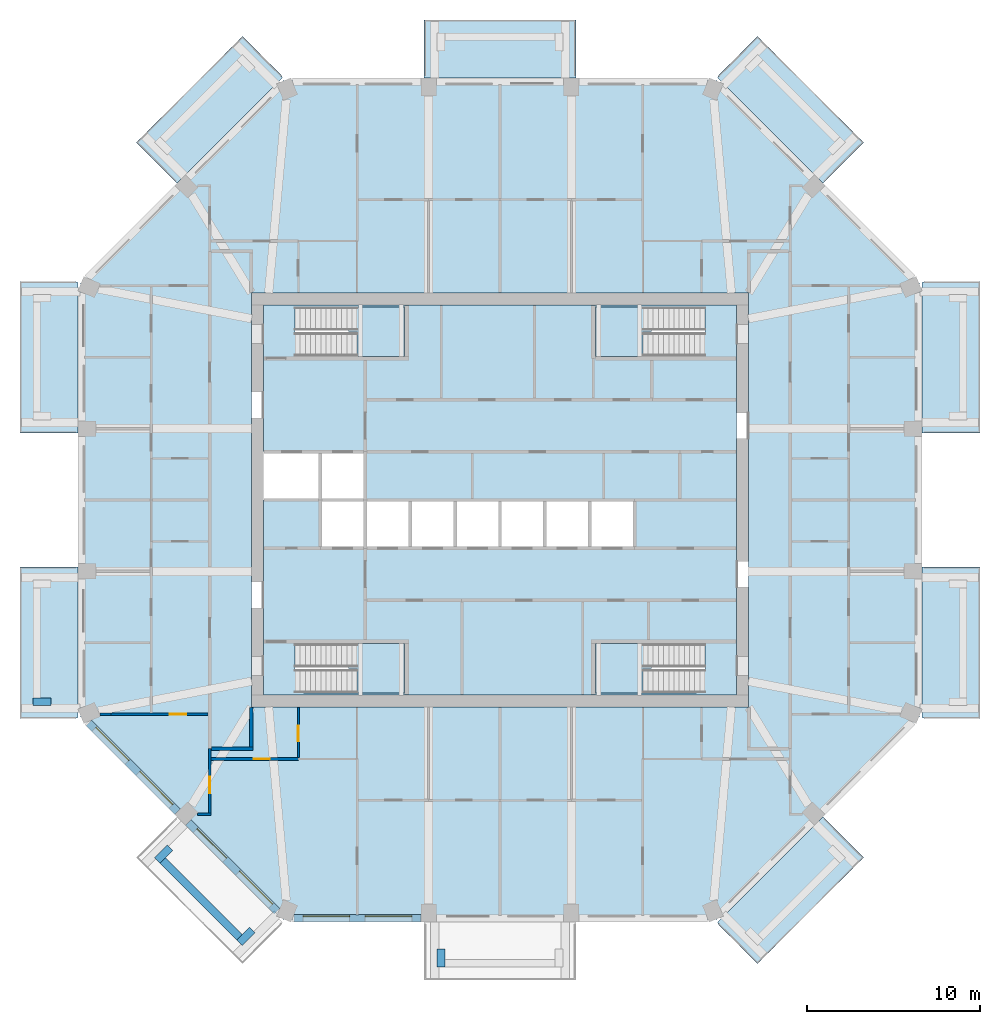
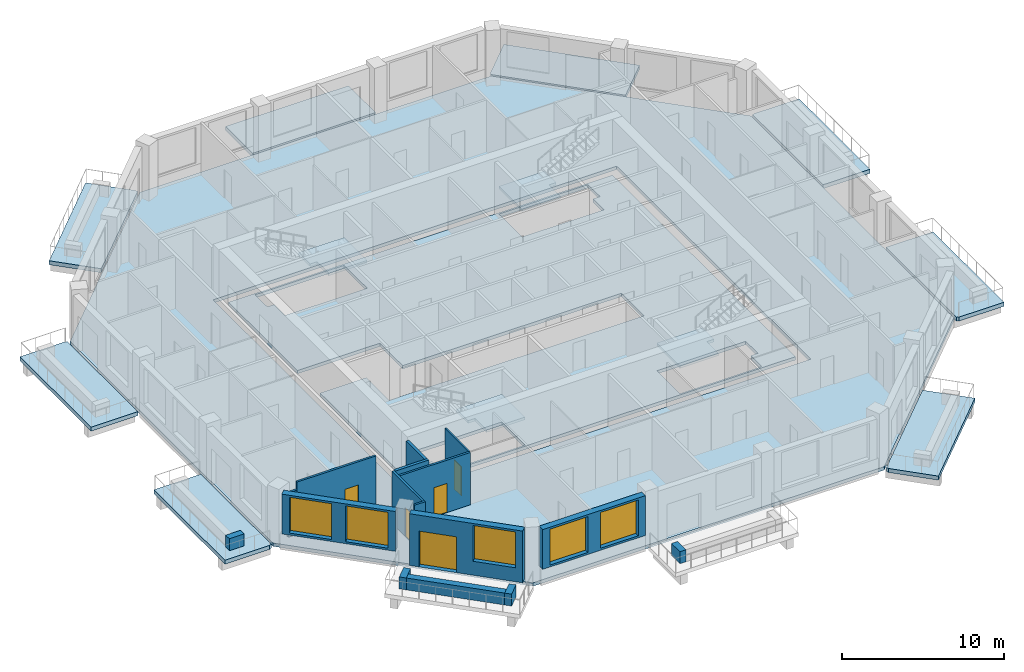
# One storey, part 2 of 12: 16 walls, 14 slabs, 5 doors, 5 windows, 10 openings, 4 elements without a shape of their own.
"""IFC4 building model written with IfcOpenShell, lengths in metres."""

from ifc_helpers import new_model, si_unit, direction, frame, frame_2d, origin, place, context, subcontext, project, spatial, polyline, rectangle, outline, extrude, material, layer, layer_set, type_object, element, fill, aggregate, save


model = new_model("IFC4")

# Units and contexts
model_context = context("Model", 3, precision=1e-05, world=origin(), true_north=direction((0.0, 1.0)))
body_context = subcontext(model_context, "Body", "Model", "MODEL_VIEW")
ifc_project = project(units=[si_unit("LENGTHUNIT", "METRE"), si_unit("AREAUNIT", "SQUARE_METRE"), si_unit("VOLUMEUNIT", "CUBIC_METRE"), si_unit("PLANEANGLEUNIT", "RADIAN"), si_unit("MASSUNIT", "GRAM", prefix="KILO")], contexts=[model_context])

# Site, building, storey
site_placement = place(None, origin())
site = spatial("IfcSite", under=ifc_project, at=site_placement, CompositionType="ELEMENT")
building_placement = place(site_placement, origin())
building = spatial("IfcBuilding", under=site, at=building_placement, Name="Msitu Wima Residences", CompositionType="ELEMENT")
storey_placement = place(building_placement, frame((0.0, 0.0, 166.5)))
storey = spatial("IfcBuildingStorey", under=building, at=storey_placement, Name="L38", CompositionType="ELEMENT", Elevation=166.5)

# Slabs
ifc_material_1 = material(Name="Concrete C40/50", Category="concrete")
ifc_layer_1 = layer(ifc_material_1, 0.300048828125)
ifc_layer_set_1 = layer_set([ifc_layer_1], Name="Concrete C40/50")
slab_type_1 = type_object("IfcSlabType", Name="Balcony slab BS300", PredefinedType="FLOOR", material=ifc_layer_set_1)
slab_1_placement = place(storey_placement, frame((0.0, 0.0, -0.300048828125)))
element("IfcSlab", 1, at=slab_1_placement, inside=storey, type_object=slab_type_1, Name="Balcony E0 L38", PredefinedType="FLOOR", context=body_context, shape_type="SweptSolid", body=[
    extrude(outline(polyline([(24.449951171875, -12.111083984375), (24.449951171875, -12.111083984375), (24.449951171875, -4.587158203125), (24.449951171875, -4.587158203125), (24.449951171875, -3.88720703125), (27.800048828125, -3.88720703125), (27.800048828125, -12.661865234375), (24.603515625, -12.661865234375), (24.449951171875, -12.59814453125), (24.449951171875, -12.111083984375), (24.449951171875, -12.111083984375)])), origin(), (0.0, 0.0, 1.0), 0.300048828125),
])
slab_2_placement = place(storey_placement, frame((0.0, 0.0, -0.300048828125)))
element("IfcSlab", 2, at=slab_2_placement, inside=storey, type_object=slab_type_1, Name="Balcony E2 L38", PredefinedType="FLOOR", context=body_context, shape_type="SweptSolid", body=[
    extrude(outline(polyline([(24.449951171875, 12.111083984375), (24.449951171875, 12.111083984375), (24.449951171875, 12.111083984375), (24.449951171875, 12.59814453125), (24.603515625, 12.661865234375), (27.800048828125, 12.661865234375), (27.800048828125, 3.88720703125), (24.449951171875, 3.88720703125), (24.449951171875, 4.587158203125), (24.449951171875, 12.111083984375)])), origin(), (0.0, 0.0, 1.0), 0.300048828125),
])
slab_3_placement = place(storey_placement, frame((0.0, 0.0, -0.300048828125)))
element("IfcSlab", 3, at=slab_3_placement, inside=storey, type_object=slab_type_1, Name="Balcony NE1 L38", PredefinedType="FLOOR", context=body_context, shape_type="SweptSolid", body=[
    extrude(outline(polyline([(12.942626953125, 24.10546875), (12.942626953125, 24.10546875), (12.59814453125, 24.449951171875), (12.661865234375, 24.603515625), (14.922119140625, 26.86376953125), (21.069580078125, 20.716064453125), (18.700927734375, 18.347412109375), (12.942626953125, 24.10546875), (12.942626953125, 24.10546875)])), origin(), (0.0, 0.0, 1.0), 0.300048828125),
])
slab_4_placement = place(storey_placement, frame((0.0, 0.0, -0.300048828125)))
element("IfcSlab", 4, at=slab_4_placement, inside=storey, type_object=slab_type_1, Name="Balcony N1 L38", PredefinedType="FLOOR", context=body_context, shape_type="SweptSolid", body=[
    extrude(outline(polyline([(3.687255859375, 24.449951171875), (-3.687255859375, 24.449951171875), (-4.38720703125, 24.449951171875), (-4.38720703125, 27.800048828125), (4.38720703125, 27.800048828125), (4.38720703125, 24.449951171875), (3.687255859375, 24.449951171875)])), origin(), (0.0, 0.0, 1.0), 0.300048828125),
])
slab_5_placement = place(storey_placement, frame((0.0, 0.0, -0.300048828125)))
element("IfcSlab", 5, at=slab_5_placement, inside=storey, type_object=slab_type_1, Name="Balcony NW0 L38", PredefinedType="FLOOR", context=body_context, shape_type="SweptSolid", body=[
    extrude(outline(polyline([(-12.942626953125, 24.10546875), (-12.942626953125, 24.10546875), (-18.700927734375, 18.347412109375), (-21.069580078125, 20.716064453125), (-14.922119140625, 26.86376953125), (-12.661865234375, 24.603515625), (-12.59814453125, 24.449951171875), (-12.942626953125, 24.10546875), (-12.942626953125, 24.10546875)])), origin(), (0.0, 0.0, 1.0), 0.300048828125),
])
slab_6_placement = place(storey_placement, frame((0.0, 0.0, -0.300048828125)))
element("IfcSlab", 6, at=slab_6_placement, inside=storey, type_object=slab_type_1, Name="Balcony W0 L38", PredefinedType="FLOOR", context=body_context, shape_type="SweptSolid", body=[
    extrude(outline(polyline([(-24.449951171875, 12.111083984375), (-24.449951171875, 12.111083984375), (-24.449951171875, 4.587158203125), (-24.449951171875, 3.88720703125), (-27.800048828125, 3.88720703125), (-27.800048828125, 12.661865234375), (-24.603515625, 12.661865234375), (-24.449951171875, 12.59814453125), (-24.449951171875, 12.111083984375), (-24.449951171875, 12.111083984375)])), origin(), (0.0, 0.0, 1.0), 0.300048828125),
])
slab_7_placement = place(storey_placement, frame((0.0, 0.0, -0.300048828125)))
element("IfcSlab", 7, at=slab_7_placement, inside=storey, type_object=slab_type_1, Name="Balcony W2 L38", PredefinedType="FLOOR", context=body_context, shape_type="SweptSolid", body=[
    extrude(outline(polyline([(-24.449951171875, -12.111083984375), (-24.449951171875, -12.111083984375), (-24.449951171875, -12.59814453125), (-24.603515625, -12.661865234375), (-27.800048828125, -12.661865234375), (-27.800048828125, -3.88720703125), (-24.449951171875, -3.88720703125), (-24.449951171875, -4.587158203125), (-24.449951171875, -4.587158203125), (-24.449951171875, -12.111083984375), (-24.449951171875, -12.111083984375)])), origin(), (0.0, 0.0, 1.0), 0.300048828125),
])
slab_8_placement = place(storey_placement, frame((0.0, 0.0, -0.300048828125)))
element("IfcSlab", 8, at=slab_8_placement, inside=storey, type_object=slab_type_1, Name="Balcony SE0 L38", PredefinedType="FLOOR", context=body_context, shape_type="SweptSolid", body=[
    extrude(outline(polyline([(12.942626953125, -24.10546875), (12.942626953125, -24.10546875), (18.700927734375, -18.347412109375), (21.069580078125, -20.716064453125), (14.922119140625, -26.86376953125), (12.661865234375, -24.603515625), (12.59814453125, -24.449951171875), (12.942626953125, -24.10546875), (12.942626953125, -24.10546875)])), origin(), (0.0, 0.0, 1.0), 0.300048828125),
])
ifc_layer_2 = layer(ifc_material_1, 0.25)
ifc_layer_set_2 = layer_set([ifc_layer_2], Name="Concrete C40/50")
slab_type_2 = type_object("IfcSlabType", Name="Core floor CF250", PredefinedType="FLOOR", material=ifc_layer_set_2)
slab_9_placement = place(storey_placement, frame((0.0, 0.0, -0.25)))
element("IfcSlab", 9, at=slab_9_placement, inside=storey, type_object=slab_type_2, Name="Core floor", PredefinedType="FLOOR", context=body_context, shape_type="SweptSolid", body=[
    extrude(outline(polyline([(-13.699951171875, 11.300048828125), (-13.699951171875, 2.800048828125), (-10.39990234375, 2.800048828125), (-7.800048828125, 2.800048828125), (-7.800048828125, 0.0), (-5.199951171875, 0.0), (-2.60009765625, 0.0), (0.0, 0.0), (2.60009765625, 0.0), (5.199951171875, 0.0), (7.800048828125, 0.0), (7.800048828125, -2.800048828125), (5.199951171875, -2.800048828125), (2.60009765625, -2.800048828125), (0.0, -2.800048828125), (-2.60009765625, -2.800048828125), (-5.199951171875, -2.800048828125), (-7.800048828125, -2.800048828125), (-10.39990234375, -2.800048828125), (-10.39990234375, 0.0), (-13.699951171875, 0.0), (-13.699951171875, -11.300048828125), (13.699951171875, -11.300048828125), (13.699951171875, 11.300048828125), (-13.699951171875, 11.300048828125)]), holes=[polyline([(-11.375, -11.175048828125), (-11.375, -9.824951171875), (-11.87451171875, -9.824951171875), (-11.87451171875, -8.324951171875), (-5.52490234375, -8.324951171875), (-5.52490234375, -11.175048828125), (-11.375, -11.175048828125)]), polyline([(-11.375, 8.324951171875), (-11.375, 9.675048828125), (-11.87451171875, 9.675048828125), (-11.87451171875, 11.175048828125), (-5.52490234375, 11.175048828125), (-5.52490234375, 8.324951171875), (-11.375, 8.324951171875)]), polyline([(11.375, -9.824951171875), (11.375, -11.175048828125), (5.52490234375, -11.175048828125), (5.52490234375, -8.324951171875), (11.87451171875, -8.324951171875), (11.87451171875, -9.824951171875), (11.375, -9.824951171875)]), polyline([(11.375, 9.675048828125), (11.375, 8.324951171875), (5.52490234375, 8.324951171875), (5.52490234375, 11.175048828125), (11.87451171875, 11.175048828125), (11.87451171875, 9.675048828125), (11.375, 9.675048828125)])]), origin(), (0.0, 0.0, 1.0), 0.25),
])
ifc_layer_3 = layer(ifc_material_1, 0.25)
ifc_layer_set_3 = layer_set([ifc_layer_3], Name="Concrete C40/50")
slab_type_3 = type_object("IfcSlabType", Name="PT flat slab 250 Concrete C40/50", PredefinedType="FLOOR", material=ifc_layer_set_3)
slab_10_placement = place(storey_placement, frame((0.0, 0.0, -0.25)))
element("IfcSlab", 10, at=slab_10_placement, inside=storey, type_object=slab_type_3, Name="Floor slab L38", PredefinedType="FLOOR", context=body_context, shape_type="SweptSolid", body=[
    extrude(outline(polyline([(24.300048828125, -12.5361328125), (12.5361328125, -24.300048828125), (-12.5361328125, -24.300048828125), (-24.300048828125, -12.5361328125), (-24.300048828125, 12.5361328125), (-12.5361328125, 24.300048828125), (12.5361328125, 24.300048828125), (24.300048828125, 12.5361328125), (24.300048828125, -12.5361328125)]), holes=[polyline([(-14.39990234375, -12.0), (14.39990234375, -12.0), (14.39990234375, 12.0), (-14.39990234375, 12.0), (-14.39990234375, -12.0)])]), origin(), (0.0, 0.0, 1.0), 0.25),
])

# Stair, slab
stair_type = type_object("IfcStairType", Name="Exit stair ES1615-135", PredefinedType="HALF_TURN_STAIR", material=ifc_material_1)
stair_1_placement = place(storey_placement, origin())
stair_1 = element("IfcStair", 11, at=stair_1_placement, inside=storey, type_object=stair_type, Name="Exit stair 1", PredefinedType="HALF_TURN_STAIR")
ifc_layer_4 = layer(ifc_material_1, 0.199951171875)
ifc_layer_set_4 = layer_set([ifc_layer_4], Name="Concrete C40/50")
slab_type_4 = type_object("IfcSlabType", Name="Stair landing SL200", PredefinedType="LANDING", material=ifc_layer_set_4)
slab_11_placement = place(storey_placement, frame((0.0, 0.0, 1.89990234375)))
slab_11 = element("IfcSlab", 12, at=slab_11_placement, type_object=slab_type_4, Name="S1 landing 1", PredefinedType="LANDING", context=body_context, shape_type="SweptSolid", body=[
    extrude(outline(polyline([(-5.52490234375, 8.324951171875), (-8.275390625, 8.324951171875), (-8.275390625, 9.75), (-8.77490234375, 9.75), (-8.77490234375, 11.175048828125), (-5.52490234375, 11.175048828125), (-5.52490234375, 8.324951171875)])), origin(), (0.0, 0.0, 1.0), 0.2001953125),
])
aggregate(stair_1, [slab_11])

stair_2_placement = place(storey_placement, origin())
stair_2 = element("IfcStair", 13, at=stair_2_placement, inside=storey, type_object=stair_type, Name="Exit stair 2", PredefinedType="HALF_TURN_STAIR")
slab_12_placement = place(storey_placement, frame((0.0, 0.0, 1.89990234375)))
slab_12 = element("IfcSlab", 14, at=slab_12_placement, type_object=slab_type_4, Name="S2 landing 1", PredefinedType="LANDING", context=body_context, shape_type="SweptSolid", body=[
    extrude(outline(polyline([(-5.52490234375, -11.175048828125), (-8.275390625, -11.175048828125), (-8.275390625, -9.75), (-8.77490234375, -9.75), (-8.77490234375, -8.324951171875), (-5.52490234375, -8.324951171875), (-5.52490234375, -11.175048828125)])), origin(), (0.0, 0.0, 1.0), 0.2001953125),
])
aggregate(stair_2, [slab_12])

stair_3_placement = place(storey_placement, origin())
stair_3 = element("IfcStair", 15, at=stair_3_placement, inside=storey, type_object=stair_type, Name="Exit stair 3", PredefinedType="HALF_TURN_STAIR")
slab_13_placement = place(storey_placement, frame((0.0, 0.0, 1.89990234375)))
slab_13 = element("IfcSlab", 16, at=slab_13_placement, type_object=slab_type_4, Name="S3 landing 1", PredefinedType="LANDING", context=body_context, shape_type="SweptSolid", body=[
    extrude(outline(polyline([(5.52490234375, 8.324951171875), (8.275390625, 8.324951171875), (8.275390625, 9.75), (8.77490234375, 9.75), (8.77490234375, 11.175048828125), (5.52490234375, 11.175048828125), (5.52490234375, 8.324951171875)])), origin(), (0.0, 0.0, 1.0), 0.2001953125),
])
aggregate(stair_3, [slab_13])

stair_4_placement = place(storey_placement, origin())
stair_4 = element("IfcStair", 17, at=stair_4_placement, inside=storey, type_object=stair_type, Name="Exit stair 4", PredefinedType="HALF_TURN_STAIR")
slab_14_placement = place(storey_placement, frame((0.0, 0.0, 1.89990234375)))
slab_14 = element("IfcSlab", 18, at=slab_14_placement, type_object=slab_type_4, Name="S4 landing 1", PredefinedType="LANDING", context=body_context, shape_type="SweptSolid", body=[
    extrude(outline(polyline([(5.52490234375, -11.175048828125), (8.275390625, -11.175048828125), (8.275390625, -9.75), (8.77490234375, -9.75), (8.77490234375, -8.324951171875), (5.52490234375, -8.324951171875), (5.52490234375, -11.175048828125)])), origin(), (0.0, 0.0, 1.0), 0.2001953125),
])
aggregate(stair_4, [slab_14])

# Walls
ifc_material_2 = material(Name="Facing brick")
ifc_layer_5 = layer(ifc_material_2, 0.06494140625, Name="Facing brick")
ifc_layer_6 = layer(ifc_material_1, 0.156005859375, Name="Concrete C40/50")
ifc_material_3 = material(Name="Waterproofing membrane")
ifc_layer_7 = layer(ifc_material_3, 0.00390625, Name="Waterproofing membrane")
ifc_material_4 = material(Name="Planting soil and planting")
ifc_layer_8 = layer(ifc_material_4, 0.22509765625, Name="Planting soil and planting")
ifc_layer_set_5 = layer_set([ifc_layer_5, ifc_layer_6, ifc_layer_7, ifc_layer_8], Name="Concrete C40/50")
wall_type_1 = type_object("IfcWallType", Name="Balcony planter PLANTER PL450", PredefinedType="USERDEFINED", material=ifc_layer_set_5)
wall_1_placement = place(storey_placement, frame((-26.0, -11.686767578125, 0.0), z_axis=(0.0, 0.0, 1.0), x_axis=(-1.0, 0.0, 0.0)))
element("IfcWall", 19, at=wall_1_placement, inside=storey, type_object=wall_type_1, Name="Balcony planter W2 L38", ObjectType="PLANTER", PredefinedType="USERDEFINED", context=body_context, shape_type="SweptSolid", body=[
    extrude(rectangle(XDim=1.050048828125, YDim=0.449951171875, at=frame_2d((0.52490234375, 0.0))), origin(), (0.0, 0.0, 1.0), 0.89990234375),
])
wall_2_placement = place(storey_placement, frame((-19.53173828125, -20.875244140625, 0.0), z_axis=(0.0, 0.0, 1.0), x_axis=(0.707106781187, -0.707106781187, 0.0)))
element("IfcWall", 20, at=wall_2_placement, inside=storey, type_object=wall_type_1, Name="Balcony planter SW1 L38", ObjectType="PLANTER", PredefinedType="USERDEFINED", context=body_context, shape_type="SweptSolid", body=[
    extrude(rectangle(XDim=6.294189453125, YDim=0.449951171875, at=frame_2d((3.14697265625, 0.0))), origin(), (0.0, 0.0, 1.0), 0.89990234375),
])
for number, where, z_axis, x_axis, name in (
    (21, (-19.107421875, -20.1328125, 0.0), (0.0, 0.0, 1.0), (-0.707106781187, -0.707106781187, 0.0), "Balcony planter SW1 L38"),
    (22, (-14.338623046875, -24.901611328125, 0.0), (0.0, 0.0, 1.0), (-0.707106781187, -0.707106781187, 0.0), "Balcony planter SW1 L38"),
    (23, (-3.412353515625, -26.0, 0.0), (0.0, 0.0, 1.0), (0.0, -1.0, 0.0), "Balcony planter S1 L38"),
):
    element("IfcWall", number, at=place(storey_placement, frame(where, z_axis=z_axis, x_axis=x_axis)), inside=storey, type_object=wall_type_1, Name=name, ObjectType="PLANTER", PredefinedType="USERDEFINED", context=body_context, shape_type="SweptSolid", body=[
        extrude(rectangle(XDim=1.050048828125, YDim=0.449951171875, at=frame_2d((0.52490234375, 0.0))), origin(), (0.0, 0.0, 1.0), 0.89990234375),
    ])

# Wall, openings, windows
ifc_material_5 = material(Name="Brick (red buff mix)", Category="masonry")
ifc_layer_9 = layer(ifc_material_5, 0.449951171875)
ifc_layer_set_6 = layer_set([ifc_layer_9], Name="Brick (red buff mix)")
wall_type_2 = type_object("IfcWallType", Name="Brick infill wall BW450", PredefinedType="SOLIDWALL", material=ifc_layer_set_6)
wall_3_placement = place(storey_placement, frame((-23.814697265625, -12.915283203125, 0.89990234375), z_axis=(0.0, 0.0, 1.0), x_axis=(0.707106781187, -0.707106781187, 0.0)))
wall_3 = element("IfcWall", 24, at=wall_3_placement, inside=storey, type_object=wall_type_2, Name="Brick infill wall L38 SW0", PredefinedType="SOLIDWALL", context=body_context, shape_type="SweptSolid", body=[
    extrude(rectangle(XDim=7.257080078125, YDim=0.449951171875, at=frame_2d((3.62841796875, 0.0))), origin(), (0.0, 0.0, 1.0), 3.0),
])
opening_1_placement = place(wall_3_placement, frame((0.478515625, 0.0, 0.14990234375)))
opening_1 = element("IfcOpeningElement", 25, at=opening_1_placement, cuts=wall_3, Name="Opening W38-39.024", PredefinedType="OPENING", context=body_context, shape_type="SweptSolid", body=[
    extrude(rectangle(XDim=2.699951171875, YDim=2.699951171875, at=frame_2d((1.35009765625, 1.35009765625))), frame((0.0, 0.23486328125, 0.0), z_axis=(0.0, -1.0, 0.0), x_axis=(1.0, 0.0, 0.0)), (0.0, 0.0, 1.0), 0.469970703125),
])
opening_2_placement = place(wall_3_placement, frame((4.07861328125, 0.0, 0.14990234375)))
opening_2 = element("IfcOpeningElement", 26, at=opening_2_placement, cuts=wall_3, Name="Opening W38-39.025", PredefinedType="OPENING", context=body_context, shape_type="SweptSolid", body=[
    extrude(rectangle(XDim=2.699951171875, YDim=2.699951171875, at=frame_2d((1.35009765625, 1.35009765625))), frame((0.0, 0.23486328125, 0.0), z_axis=(0.0, -1.0, 0.0), x_axis=(1.0, 0.0, 0.0)), (0.0, 0.0, 1.0), 0.469970703125),
])
ifc_material_6 = material(Name="Anodised aluminium, bronze finish, clear low-emissivity double glazing", Category="aluminium")
window_type = type_object("IfcWindowType", Name="Window W2700x2700", PartitioningType="DOUBLE_PANEL_VERTICAL", PredefinedType="WINDOW", material=ifc_material_6)
window_1_placement = place(opening_1_placement, origin())
window_1 = element("IfcWindow", 27, at=window_1_placement, inside=storey, type_object=window_type, Name="Window L38 SW0.1", OverallHeight=2.699951171875, OverallWidth=2.699951171875, PartitioningType="SINGLE_PANEL", PredefinedType="WINDOW", context=body_context, shape_type="SweptSolid", body=[
    extrude(rectangle(XDim=2.699951171875, YDim=2.699951171875, at=frame_2d((1.35009765625, 1.35009765625))), frame((0.0, 0.135009765625, 0.0), z_axis=(0.0, -1.0, 0.0), x_axis=(1.0, 0.0, 0.0)), (0.0, 0.0, 1.0), 0.06005859375),
])
fill(opening_1, window_1)
window_2_placement = place(opening_2_placement, origin())
window_2 = element("IfcWindow", 28, at=window_2_placement, inside=storey, type_object=window_type, Name="Window L38 SW0.2", OverallHeight=2.699951171875, OverallWidth=2.699951171875, PartitioningType="SINGLE_PANEL", PredefinedType="WINDOW", context=body_context, shape_type="SweptSolid", body=[
    extrude(rectangle(XDim=2.699951171875, YDim=2.699951171875, at=frame_2d((1.35009765625, 1.35009765625))), frame((0.0, 0.135009765625, 0.0), z_axis=(0.0, -1.0, 0.0), x_axis=(1.0, 0.0, 0.0)), (0.0, 0.0, 1.0), 0.06005859375),
])
fill(opening_2, window_2)

# Wall, openings, door, window
wall_4_placement = place(storey_placement, frame((-18.046875, -18.68310546875, 0.0), z_axis=(0.0, 0.0, 1.0), x_axis=(0.707106781187, -0.707106781187, 0.0)))
wall_4 = element("IfcWall", 29, at=wall_4_placement, inside=storey, type_object=wall_type_2, Name="Brick infill wall L38 SW1", PredefinedType="SOLIDWALL", context=body_context, shape_type="SweptSolid", body=[
    extrude(rectangle(XDim=7.257080078125, YDim=0.449951171875, at=frame_2d((3.62841796875, 0.0))), origin(), (0.0, 0.0, 1.0), 3.89990234375),
])
opening_3_placement = place(wall_4_placement, frame((0.6142578125, 0.0, 0.0)))
opening_3 = element("IfcOpeningElement", 30, at=opening_3_placement, cuts=wall_4, Name="Opening D38-39.008", PredefinedType="OPENING", context=body_context, shape_type="SweptSolid", body=[
    extrude(rectangle(XDim=2.39990234375, YDim=2.699951171875, at=frame_2d((1.199951171875, 1.35009765625))), frame((0.0, 0.23486328125, 0.0), z_axis=(0.0, -1.0, 0.0), x_axis=(1.0, 0.0, 0.0)), (0.0, 0.0, 1.0), 0.469970703125),
])
opening_4_placement = place(wall_4_placement, frame((4.07861328125, 0.0, 1.050048828125)))
opening_4 = element("IfcOpeningElement", 31, at=opening_4_placement, cuts=wall_4, Name="Opening W38-39.026", PredefinedType="OPENING", context=body_context, shape_type="SweptSolid", body=[
    extrude(rectangle(XDim=2.699951171875, YDim=2.699951171875, at=frame_2d((1.35009765625, 1.35009765625))), frame((0.0, 0.23486328125, 0.0), z_axis=(0.0, -1.0, 0.0), x_axis=(1.0, 0.0, 0.0)), (0.0, 0.0, 1.0), 0.469970703125),
])
door_type_1 = type_object("IfcDoorType", Name="Balcony door D2400x2700", OperationType="SLIDING_TO_LEFT", PredefinedType="DOOR", material=ifc_material_6)
door_1_placement = place(opening_3_placement, origin())
door_1 = element("IfcDoor", 32, at=door_1_placement, inside=storey, type_object=door_type_1, Name="Balcony door L38 SW1", OperationType="SINGLE_SWING_LEFT", OverallHeight=2.699951171875, OverallWidth=2.39990234375, PredefinedType="DOOR", context=body_context, shape_type="SweptSolid", body=[
    extrude(rectangle(XDim=2.39990234375, YDim=2.699951171875, at=frame_2d((1.199951171875, 1.35009765625))), frame((0.0, 0.1298828125, 0.0), z_axis=(0.0, -1.0, 0.0), x_axis=(1.0, 0.0, 0.0)), (0.0, 0.0, 1.0), 0.050048828125),
])
fill(opening_3, door_1)
window_3_placement = place(opening_4_placement, origin())
window_3 = element("IfcWindow", 33, at=window_3_placement, inside=storey, type_object=window_type, Name="Window L38 SW1.2", OverallHeight=2.699951171875, OverallWidth=2.699951171875, PartitioningType="SINGLE_PANEL", PredefinedType="WINDOW", context=body_context, shape_type="SweptSolid", body=[
    extrude(rectangle(XDim=2.699951171875, YDim=2.699951171875, at=frame_2d((1.35009765625, 1.35009765625))), frame((0.0, 0.135009765625, 0.0), z_axis=(0.0, -1.0, 0.0), x_axis=(1.0, 0.0, 0.0)), (0.0, 0.0, 1.0), 0.06005859375),
])
fill(opening_4, window_3)

# Wall, openings, windows
wall_5_placement = place(storey_placement, frame((-11.9248046875, -24.22509765625, 0.89990234375), z_axis=(0.0, 0.0, 1.0), x_axis=(1.0, 0.0, 0.0)))
wall_5 = element("IfcWall", 34, at=wall_5_placement, inside=storey, type_object=wall_type_2, Name="Brick infill wall L38 S0", PredefinedType="SOLIDWALL", context=body_context, shape_type="SweptSolid", body=[
    extrude(rectangle(XDim=7.337646484375, YDim=0.449951171875, at=frame_2d((3.6689453125, 0.0))), origin(), (0.0, 0.0, 1.0), 3.0),
])
opening_5_placement = place(wall_5_placement, frame((0.518798828125, 0.0, 0.14990234375)))
opening_5 = element("IfcOpeningElement", 35, at=opening_5_placement, cuts=wall_5, Name="Opening W38-39.016", PredefinedType="OPENING", context=body_context, shape_type="SweptSolid", body=[
    extrude(rectangle(XDim=2.699951171875, YDim=2.699951171875, at=frame_2d((1.35009765625, 1.35009765625))), frame((0.0, 0.23486328125, 0.0), z_axis=(0.0, -1.0, 0.0), x_axis=(1.0, 0.0, 0.0)), (0.0, 0.0, 1.0), 0.469970703125),
])
opening_6_placement = place(wall_5_placement, frame((4.11865234375, 0.0, 0.14990234375)))
opening_6 = element("IfcOpeningElement", 36, at=opening_6_placement, cuts=wall_5, Name="Opening W38-39.017", PredefinedType="OPENING", context=body_context, shape_type="SweptSolid", body=[
    extrude(rectangle(XDim=2.699951171875, YDim=2.699951171875, at=frame_2d((1.35009765625, 1.35009765625))), frame((0.0, 0.23486328125, 0.0), z_axis=(0.0, -1.0, 0.0), x_axis=(1.0, 0.0, 0.0)), (0.0, 0.0, 1.0), 0.469970703125),
])
window_4_placement = place(opening_5_placement, origin())
window_4 = element("IfcWindow", 37, at=window_4_placement, inside=storey, type_object=window_type, Name="Window L38 S0.1", OverallHeight=2.699951171875, OverallWidth=2.699951171875, PartitioningType="SINGLE_PANEL", PredefinedType="WINDOW", context=body_context, shape_type="SweptSolid", body=[
    extrude(rectangle(XDim=2.699951171875, YDim=2.699951171875, at=frame_2d((1.35009765625, 1.35009765625))), frame((0.0, 0.135009765625, 0.0), z_axis=(0.0, -1.0, 0.0), x_axis=(1.0, 0.0, 0.0)), (0.0, 0.0, 1.0), 0.06005859375),
])
fill(opening_5, window_4)
window_5_placement = place(opening_6_placement, origin())
window_5 = element("IfcWindow", 38, at=window_5_placement, inside=storey, type_object=window_type, Name="Window L38 S0.2", OverallHeight=2.699951171875, OverallWidth=2.699951171875, PartitioningType="SINGLE_PANEL", PredefinedType="WINDOW", context=body_context, shape_type="SweptSolid", body=[
    extrude(rectangle(XDim=2.699951171875, YDim=2.699951171875, at=frame_2d((1.35009765625, 1.35009765625))), frame((0.0, 0.135009765625, 0.0), z_axis=(0.0, -1.0, 0.0), x_axis=(1.0, 0.0, 0.0)), (0.0, 0.0, 1.0), 0.06005859375),
])
fill(opening_6, window_5)

# Walls
ifc_material_7 = material(Name="Plaster")
ifc_layer_10 = layer(ifc_material_7, 0.011962890625, Name="Plaster")
ifc_material_8 = material(Name="Concrete blockwork", Category="masonry")
ifc_layer_11 = layer(ifc_material_8, 0.176025390625, Name="Concrete blockwork")
ifc_layer_12 = layer(ifc_material_7, 0.011962890625, Name="Plaster")
ifc_layer_set_7 = layer_set([ifc_layer_10, ifc_layer_11, ifc_layer_12], Name="Concrete blockwork")
wall_type_3 = type_object("IfcWallType", Name="Corridor wall FW200", PredefinedType="PARTITIONING", material=ifc_layer_set_7)
wall_6_placement = place(storey_placement, frame((-16.699951171875, -14.39990234375, 0.0), z_axis=(0.0, 0.0, 1.0), x_axis=(1.0, 0.0, 0.0)))
element("IfcWall", 39, at=wall_6_placement, inside=storey, type_object=wall_type_3, Name="Corridor wall", PredefinedType="PARTITIONING", context=body_context, shape_type="SweptSolid", body=[
    extrude(rectangle(XDim=2.39990234375, YDim=0.199951171875, at=frame_2d((1.199951171875, 0.0))), origin(), (0.0, 0.0, 1.0), 3.949951171875),
])
wall_7_placement = place(storey_placement, frame((-14.39990234375, -14.300048828125, 0.0), z_axis=(0.0, 0.0, 1.0), x_axis=(0.0, 1.0, 0.0)))
element("IfcWall", 40, at=wall_7_placement, inside=storey, type_object=wall_type_3, Name="Corridor wall", PredefinedType="PARTITIONING", context=body_context, shape_type="SweptSolid", body=[
    extrude(rectangle(XDim=2.27001953125, YDim=0.199951171875, at=frame_2d((1.135009765625, 0.0))), origin(), (0.0, 0.0, 1.0), 3.949951171875),
])
ifc_layer_13 = layer(ifc_material_7, 0.011962890625, Name="Plaster")
ifc_layer_14 = layer(ifc_material_8, 0.1259765625, Name="Concrete blockwork")
ifc_layer_15 = layer(ifc_material_7, 0.011962890625, Name="Plaster")
ifc_layer_set_8 = layer_set([ifc_layer_13, ifc_layer_14, ifc_layer_15], Name="Concrete blockwork")
wall_type_4 = type_object("IfcWallType", Name="Partition PW150", PredefinedType="PARTITIONING", material=ifc_layer_set_8)
wall_8_placement = place(storey_placement, frame((-23.1689453125, -12.411865234375, 0.0), z_axis=(0.0, 0.0, 1.0), x_axis=(1.0, 0.0, 0.0)))
element("IfcWall", 41, at=wall_8_placement, inside=storey, type_object=wall_type_4, Name="Partition", PredefinedType="PARTITIONING", context=body_context, shape_type="SweptSolid", body=[
    extrude(rectangle(XDim=0.630615234375, YDim=0.14990234375, at=frame_2d((0.3154296875, 0.0))), origin(), (0.0, 0.0, 1.0), 3.35009765625),
])

# Wall, opening, door
wall_9_placement = place(storey_placement, frame((-22.538330078125, -12.411865234375, 0.0), z_axis=(0.0, 0.0, 1.0), x_axis=(1.0, 0.0, 0.0)))
wall_9 = element("IfcWall", 42, at=wall_9_placement, inside=storey, type_object=wall_type_4, Name="Partition", PredefinedType="PARTITIONING", context=body_context, shape_type="SweptSolid", body=[
    extrude(rectangle(XDim=5.638427734375, YDim=0.14990234375, at=frame_2d((2.8193359375, 0.0))), origin(), (0.0, 0.0, 1.0), 3.949951171875),
])
opening_7_placement = place(wall_9_placement, frame((3.41943359375, 0.0, 0.0)))
opening_7 = element("IfcOpeningElement", 43, at=opening_7_placement, cuts=wall_9, Name="Opening D38-39.042", PredefinedType="OPENING", context=body_context, shape_type="SweptSolid", body=[
    extrude(rectangle(XDim=0.949951171875, YDim=2.199951171875, at=frame_2d((0.47509765625, 1.10009765625))), frame((0.0, 0.0849609375, 0.0), z_axis=(0.0, -1.0, 0.0), x_axis=(1.0, 0.0, 0.0)), (0.0, 0.0, 1.0), 0.169921875),
])
ifc_material_9 = material(Name="Timber flush door", Category="wood")
door_type_2 = type_object("IfcDoorType", Name="Room door D12 950x2200", OperationType="SINGLE_SWING_LEFT", PredefinedType="DOOR", material=ifc_material_9)
door_2_placement = place(opening_7_placement, origin())
door_2 = element("IfcDoor", 44, at=door_2_placement, inside=storey, type_object=door_type_2, Name="Room door", OperationType="SINGLE_SWING_LEFT", OverallHeight=2.199951171875, OverallWidth=0.949951171875, PredefinedType="DOOR", context=body_context, shape_type="SweptSolid", body=[
    extrude(rectangle(XDim=0.949951171875, YDim=2.199951171875, at=frame_2d((0.47509765625, 1.10009765625))), frame((0.0, 0.02490234375, 0.0), z_axis=(0.0, -1.0, 0.0), x_axis=(1.0, 0.0, 0.0)), (0.0, 0.0, 1.0), 0.050048828125),
])
fill(opening_7, door_2)

# Wall
wall_10_placement = place(storey_placement, frame((-17.509521484375, -18.205810546875, 0.0), z_axis=(0.0, 0.0, 1.0), x_axis=(1.0, 0.0, 0.0)))
element("IfcWall", 45, at=wall_10_placement, inside=storey, type_object=wall_type_4, Name="Partition", PredefinedType="PARTITIONING", context=body_context, shape_type="SweptSolid", body=[
    extrude(rectangle(XDim=0.784423828125, YDim=0.14990234375, at=frame_2d((0.39208984375, 0.0))), origin(), (0.0, 0.0, 1.0), 3.949951171875),
])

# Wall, opening, door
wall_11_placement = place(storey_placement, frame((-16.800048828125, -18.130859375, 0.0), z_axis=(0.0, 0.0, 1.0), x_axis=(0.0, 1.0, 0.0)))
wall_11 = element("IfcWall", 46, at=wall_11_placement, inside=storey, type_object=wall_type_4, Name="Partition", PredefinedType="PARTITIONING", context=body_context, shape_type="SweptSolid", body=[
    extrude(rectangle(XDim=3.73095703125, YDim=0.14990234375, at=frame_2d((1.865478515625, 0.0))), origin(), (0.0, 0.0, 1.0), 3.949951171875),
])
opening_8_placement = place(wall_11_placement, frame((1.14990234375, 0.0, 0.0)))
opening_8 = element("IfcOpeningElement", 47, at=opening_8_placement, cuts=wall_11, Name="Opening D38-39.043", PredefinedType="OPENING", context=body_context, shape_type="SweptSolid", body=[
    extrude(rectangle(XDim=0.949951171875, YDim=2.199951171875, at=frame_2d((0.47509765625, 1.10009765625))), frame((0.0, 0.0849609375, 0.0), z_axis=(0.0, -1.0, 0.0), x_axis=(1.0, 0.0, 0.0)), (0.0, 0.0, 1.0), 0.169921875),
])
door_3_placement = place(opening_8_placement, origin())
door_3 = element("IfcDoor", 48, at=door_3_placement, inside=storey, type_object=door_type_2, Name="Room door", OperationType="SINGLE_SWING_LEFT", OverallHeight=2.199951171875, OverallWidth=0.949951171875, PredefinedType="DOOR", context=body_context, shape_type="SweptSolid", body=[
    extrude(rectangle(XDim=0.949951171875, YDim=2.199951171875, at=frame_2d((0.47509765625, 1.10009765625))), frame((0.0, 0.02490234375, 0.0), z_axis=(0.0, -1.0, 0.0), x_axis=(1.0, 0.0, 0.0)), (0.0, 0.0, 1.0), 0.050048828125),
])
fill(opening_8, door_3)

wall_12_placement = place(storey_placement, frame((-16.72509765625, -15.0, 0.0), z_axis=(0.0, 0.0, 1.0), x_axis=(1.0, 0.0, 0.0)))
wall_12 = element("IfcWall", 49, at=wall_12_placement, inside=storey, type_object=wall_type_4, Name="Partition", PredefinedType="PARTITIONING", context=body_context, shape_type="SweptSolid", body=[
    extrude(rectangle(XDim=5.050537109375, YDim=0.14990234375, at=frame_2d((2.525390625, 0.0))), origin(), (0.0, 0.0, 1.0), 3.949951171875),
])
opening_9_placement = place(wall_12_placement, frame((2.449951171875, 0.0, 0.0)))
opening_9 = element("IfcOpeningElement", 50, at=opening_9_placement, cuts=wall_12, Name="Opening D38-39.045", PredefinedType="OPENING", context=body_context, shape_type="SweptSolid", body=[
    extrude(rectangle(XDim=0.949951171875, YDim=2.199951171875, at=frame_2d((0.47509765625, 1.10009765625))), frame((0.0, 0.0849609375, 0.0), z_axis=(0.0, -1.0, 0.0), x_axis=(1.0, 0.0, 0.0)), (0.0, 0.0, 1.0), 0.169921875),
])
door_4_placement = place(opening_9_placement, origin())
door_4 = element("IfcDoor", 51, at=door_4_placement, inside=storey, type_object=door_type_2, Name="Room door", OperationType="SINGLE_SWING_RIGHT", OverallHeight=2.199951171875, OverallWidth=0.949951171875, PredefinedType="DOOR", context=body_context, shape_type="SweptSolid", body=[
    extrude(rectangle(XDim=0.949951171875, YDim=2.199951171875, at=frame_2d((0.47509765625, 1.10009765625))), frame((0.0, 0.02490234375, 0.0), z_axis=(0.0, -1.0, 0.0), x_axis=(1.0, 0.0, 0.0)), (0.0, 0.0, 1.0), 0.050048828125),
])
fill(opening_9, door_4)

ifc_material_10 = material(Name="Ceramic tiles")
ifc_layer_16 = layer(ifc_material_10, 0.008056640625, Name="Ceramic tiles")
ifc_material_11 = material(Name="Moisture-resistant board")
ifc_layer_17 = layer(ifc_material_11, 0.012451171875, Name="Moisture-resistant board")
ifc_material_12 = material(Name="Light-gauge stud framing with mineral wool")
ifc_layer_18 = layer(ifc_material_12, 0.06689453125, Name="Light-gauge stud framing with mineral wool")
ifc_layer_19 = layer(ifc_material_11, 0.012451171875, Name="Moisture-resistant board")
ifc_layer_set_9 = layer_set([ifc_layer_16, ifc_layer_17, ifc_layer_18, ifc_layer_19], Name="Light-gauge stud framing with mineral wool")
wall_type_5 = type_object("IfcWallType", Name="Wet wall PW100", PredefinedType="PARTITIONING", material=ifc_layer_set_9)
wall_13_placement = place(storey_placement, frame((-11.674560546875, -14.925048828125, 0.0), z_axis=(0.0, 0.0, 1.0), x_axis=(0.0, 1.0, 0.0)))
wall_13 = element("IfcWall", 52, at=wall_13_placement, inside=storey, type_object=wall_type_5, Name="Wet wall", PredefinedType="PARTITIONING", context=body_context, shape_type="SweptSolid", body=[
    extrude(rectangle(XDim=2.89501953125, YDim=0.10009765625, at=frame_2d((1.447509765625, 0.0))), origin(), (0.0, 0.0, 1.0), 3.949951171875),
])
opening_10_placement = place(wall_13_placement, frame((0.949951171875, 0.0, 0.0)))
opening_10 = element("IfcOpeningElement", 53, at=opening_10_placement, cuts=wall_13, Name="Opening D38-39.038", PredefinedType="OPENING", context=body_context, shape_type="SweptSolid", body=[
    extrude(rectangle(XDim=0.89990234375, YDim=2.199951171875, at=frame_2d((0.449951171875, 1.10009765625))), frame((0.0, 0.06005859375, 0.0), z_axis=(0.0, -1.0, 0.0), x_axis=(1.0, 0.0, 0.0)), (0.0, 0.0, 1.0), 0.1201171875),
])
door_type_3 = type_object("IfcDoorType", Name="Service door D05 900x2200", OperationType="SINGLE_SWING_LEFT", PredefinedType="DOOR", material=ifc_material_9)
door_5_placement = place(opening_10_placement, origin())
door_5 = element("IfcDoor", 54, at=door_5_placement, inside=storey, type_object=door_type_3, Name="Service door", OperationType="SINGLE_SWING_RIGHT", OverallHeight=2.199951171875, OverallWidth=0.89990234375, PredefinedType="DOOR", context=body_context, shape_type="SweptSolid", body=[
    extrude(rectangle(XDim=0.89990234375, YDim=2.199951171875, at=frame_2d((0.449951171875, 1.10009765625))), frame((0.0, 0.02490234375, 0.0), z_axis=(0.0, -1.0, 0.0), x_axis=(1.0, 0.0, 0.0)), (0.0, 0.0, 1.0), 0.050048828125),
])
fill(opening_10, door_5)

save(model, "model.ifc")
